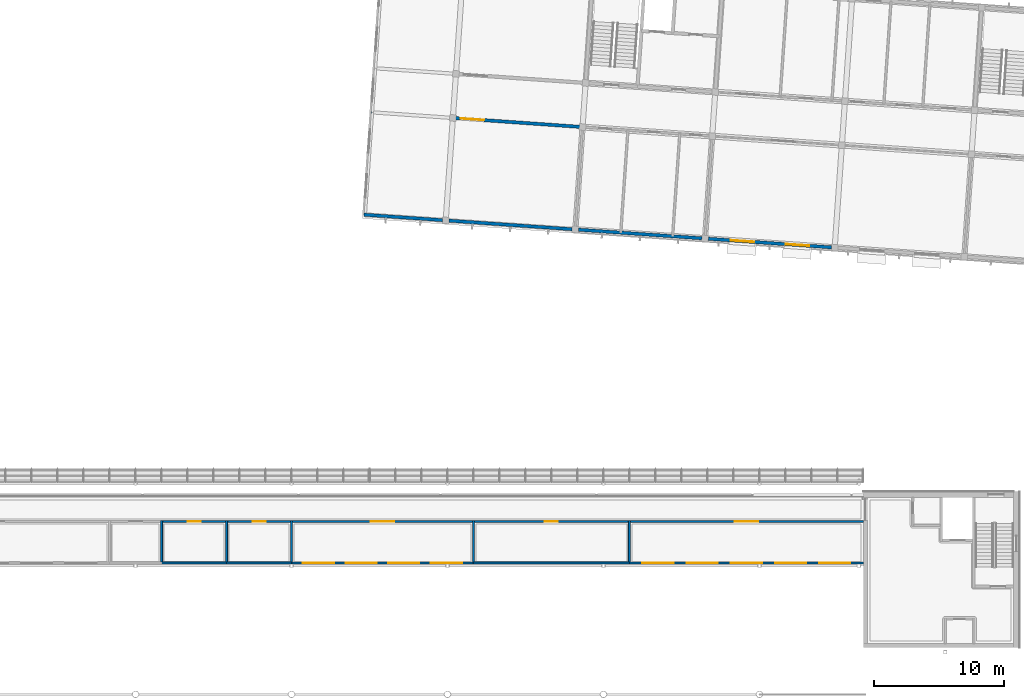
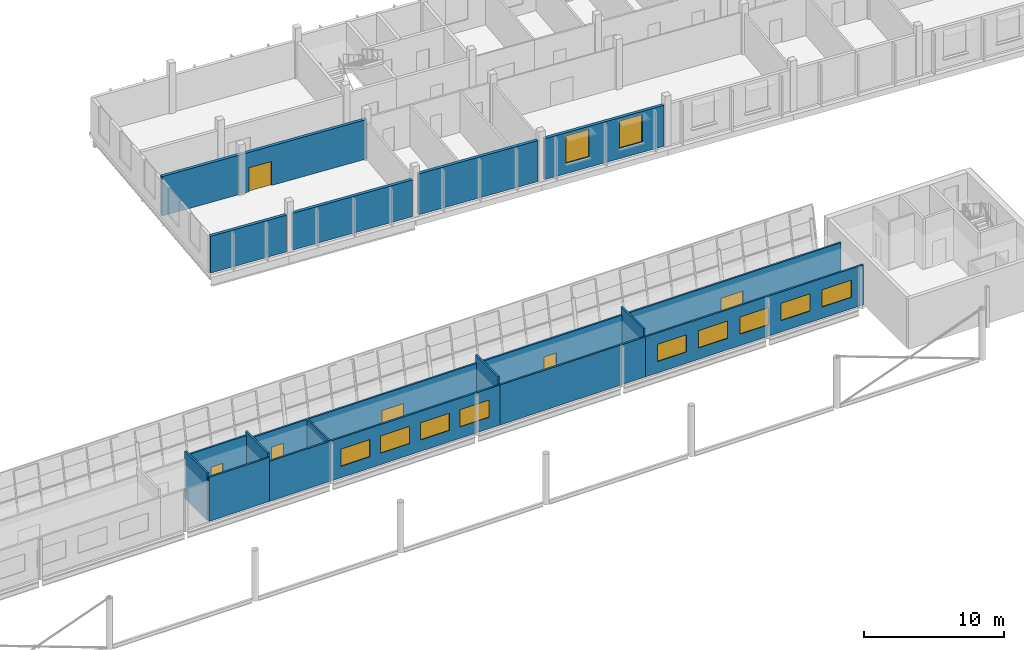
# One storey, part 53 of 95: 20 walls, 11 windows, 6 doors, 17 openings.
"""IFC4 building model written with IfcOpenShell, lengths in metres."""

from ifc_helpers import new_model, si_unit, direction, frame, frame_2d, origin, place, context, subcontext, project, spatial, rectangle, extrude, material, layer, layer_set, type_object, element, fill, save


model = new_model("IFC4")

# Units and contexts
model_context = context("Model", 3, precision=1e-05, world=origin(), true_north=direction((0.0, 1.0)))
body_context = subcontext(model_context, "Body", "Model", "MODEL_VIEW")
ifc_project = project(units=[si_unit("LENGTHUNIT", "METRE"), si_unit("AREAUNIT", "SQUARE_METRE"), si_unit("VOLUMEUNIT", "CUBIC_METRE"), si_unit("PLANEANGLEUNIT", "RADIAN"), si_unit("MASSUNIT", "GRAM", prefix="KILO")], contexts=[model_context])

# Site, building, storey
site_placement = place(None, origin())
site = spatial("IfcSite", under=ifc_project, at=site_placement, CompositionType="ELEMENT")
building_placement = place(site_placement, origin())
building = spatial("IfcBuilding", under=site, at=building_placement, Name="Windward Yard Aquatics Centre", CompositionType="ELEMENT")
storey_placement = place(building_placement, frame((0.0, 0.0, 9.39990234375)))
storey = spatial("IfcBuildingStorey", under=building, at=storey_placement, Name="L02", CompositionType="ELEMENT", Elevation=9.39990234375)

# Wall
ifc_material_1 = material(Name="Blockwork 150 mm", Category="masonry")
ifc_layer_1 = layer(ifc_material_1, 0.14990234375)
ifc_layer_set_1 = layer_set([ifc_layer_1], Name="H Partition Blockwork 150")
wall_type_1 = type_object("IfcWallType", Name="H Partition Blockwork 150", PredefinedType="PARTITIONING", material=ifc_layer_set_1)
wall_1_placement = place(storey_placement, frame((86.0, 90.59033203125, 0.0), z_axis=(0.0, 0.0, 1.0), x_axis=(0.0, 1.0, 0.0)))
element("IfcWall", 1, at=wall_1_placement, inside=storey, type_object=wall_type_1, Name="L02 partition Accessible WC", PredefinedType="PARTITIONING", context=body_context, shape_type="SweptSolid", body=[
    extrude(rectangle(XDim=3.1845703125, YDim=0.14990234375, at=frame_2d((1.59228515625, 0.0))), origin(), (0.0, 0.0, 1.0), 4.150146484375),
])

# Wall, opening, door
wall_2_placement = place(storey_placement, frame((86.074951171875, 93.699951171875, 0.0), z_axis=(0.0, 0.0, 1.0), x_axis=(1.0, 0.0, 0.0)))
wall_2 = element("IfcWall", 2, at=wall_2_placement, inside=storey, type_object=wall_type_1, Name="L02 partition Upper WC Women", PredefinedType="PARTITIONING", context=body_context, shape_type="SweptSolid", body=[
    extrude(rectangle(XDim=4.85009765625, YDim=0.14990234375, at=frame_2d((2.425048828125, 0.0))), origin(), (0.0, 0.0, 1.0), 3.843994140625),
])
opening_1_placement = place(wall_2_placement, frame((1.925048828125, 0.0, 0.0)))
opening_1 = element("IfcOpeningElement", 3, at=opening_1_placement, cuts=wall_2, Name="Opening H2031", PredefinedType="OPENING", context=body_context, shape_type="SweptSolid", body=[
    extrude(rectangle(XDim=1.0, YDim=2.10009765625, at=frame_2d((0.5, 1.050048828125))), frame((0.0, 0.0849609375, 0.0), z_axis=(0.0, -1.0, 0.0), x_axis=(1.0, 0.0, 0.0)), (0.0, 0.0, 1.0), 0.169921875),
])
ifc_material_2 = material(Name="Steel and timber door leaf", Category="steel")
door_type_1 = type_object("IfcDoorType", Name="H Door Single 1000 x 2100 FD30S", OperationType="NOTDEFINED", PredefinedType="DOOR", material=ifc_material_2)
door_1_placement = place(opening_1_placement, origin())
door_1 = element("IfcDoor", 4, at=door_1_placement, inside=storey, type_object=door_type_1, Name="L02 Upper WC Women door", OperationType="SINGLE_SWING_LEFT", OverallHeight=2.10009765625, OverallWidth=1.0, PredefinedType="DOOR", context=body_context, shape_type="SweptSolid", body=[
    extrude(rectangle(XDim=1.0, YDim=2.10009765625, at=frame_2d((0.5, 1.050048828125))), frame((0.0, 0.02490234375, 0.0), z_axis=(0.0, -1.0, 0.0), x_axis=(1.0, 0.0, 0.0)), (0.0, 0.0, 1.0), 0.050048828125),
])
fill(opening_1, door_1)

# Walls
wall_3_placement = place(storey_placement, frame((91.0, 90.59033203125, 0.0), z_axis=(0.0, 0.0, 1.0), x_axis=(0.0, 1.0, 0.0)))
element("IfcWall", 5, at=wall_3_placement, inside=storey, type_object=wall_type_1, Name="L02 partition Upper WC Women", PredefinedType="PARTITIONING", context=body_context, shape_type="SweptSolid", body=[
    extrude(rectangle(XDim=3.1845703125, YDim=0.14990234375, at=frame_2d((1.59228515625, 0.0))), origin(), (0.0, 0.0, 1.0), 4.150146484375),
])
wall_4_placement = place(storey_placement, frame((86.0, 90.515380859375, 0.0), z_axis=(0.0, 0.0, 1.0), x_axis=(1.0, 0.0, 0.0)))
element("IfcWall", 6, at=wall_4_placement, inside=storey, type_object=wall_type_1, Name="L02 wall Upper WC Women", PredefinedType="PARTITIONING", context=body_context, shape_type="SweptSolid", body=[
    extrude(rectangle(XDim=5.0, YDim=0.14990234375, at=frame_2d((2.5, 0.0))), origin(), (0.0, 0.0, 1.0), 3.843994140625),
])

# Wall, opening, door
wall_5_placement = place(storey_placement, frame((91.074951171875, 93.699951171875, 0.0), z_axis=(0.0, 0.0, 1.0), x_axis=(1.0, 0.0, 0.0)))
wall_5 = element("IfcWall", 7, at=wall_5_placement, inside=storey, type_object=wall_type_1, Name="L02 partition Upper WC Men", PredefinedType="PARTITIONING", context=body_context, shape_type="SweptSolid", body=[
    extrude(rectangle(XDim=4.85009765625, YDim=0.14990234375, at=frame_2d((2.425048828125, 0.0))), origin(), (0.0, 0.0, 1.0), 3.49609375),
])
opening_2_placement = place(wall_5_placement, frame((1.925048828125, 0.0, 0.0)))
opening_2 = element("IfcOpeningElement", 8, at=opening_2_placement, cuts=wall_5, Name="Opening H2032", PredefinedType="OPENING", context=body_context, shape_type="SweptSolid", body=[
    extrude(rectangle(XDim=1.0, YDim=2.10009765625, at=frame_2d((0.5, 1.050048828125))), frame((0.0, 0.0849609375, 0.0), z_axis=(0.0, -1.0, 0.0), x_axis=(1.0, 0.0, 0.0)), (0.0, 0.0, 1.0), 0.169921875),
])
door_2_placement = place(opening_2_placement, origin())
door_2 = element("IfcDoor", 9, at=door_2_placement, inside=storey, type_object=door_type_1, Name="L02 Upper WC Men door", OperationType="SINGLE_SWING_RIGHT", OverallHeight=2.10009765625, OverallWidth=1.0, PredefinedType="DOOR", context=body_context, shape_type="SweptSolid", body=[
    extrude(rectangle(XDim=1.0, YDim=2.10009765625, at=frame_2d((0.5, 1.050048828125))), frame((0.0, 0.02490234375, 0.0), z_axis=(0.0, -1.0, 0.0), x_axis=(1.0, 0.0, 0.0)), (0.0, 0.0, 1.0), 0.050048828125),
])
fill(opening_2, door_2)

# Walls
wall_6_placement = place(storey_placement, frame((96.0, 90.59033203125, 0.0), z_axis=(0.0, 0.0, 1.0), x_axis=(0.0, 1.0, 0.0)))
element("IfcWall", 10, at=wall_6_placement, inside=storey, type_object=wall_type_1, Name="L02 partition Upper WC Men", PredefinedType="PARTITIONING", context=body_context, shape_type="SweptSolid", body=[
    extrude(rectangle(XDim=3.1845703125, YDim=0.14990234375, at=frame_2d((1.59228515625, 0.0))), origin(), (0.0, 0.0, 1.0), 3.49609375),
])
wall_7_placement = place(storey_placement, frame((91.0, 90.515380859375, 0.0), z_axis=(0.0, 0.0, 1.0), x_axis=(1.0, 0.0, 0.0)))
element("IfcWall", 11, at=wall_7_placement, inside=storey, type_object=wall_type_1, Name="L02 wall Upper WC Men", PredefinedType="PARTITIONING", context=body_context, shape_type="SweptSolid", body=[
    extrude(rectangle(XDim=5.0, YDim=0.14990234375, at=frame_2d((2.5, 0.0))), origin(), (0.0, 0.0, 1.0), 3.49609375),
])

# Wall, opening, door
wall_8_placement = place(storey_placement, frame((96.074951171875, 93.699951171875, 0.0), z_axis=(0.0, 0.0, 1.0), x_axis=(1.0, 0.0, 0.0)))
wall_8 = element("IfcWall", 12, at=wall_8_placement, inside=storey, type_object=wall_type_1, Name="L02 partition Commentary Booths", PredefinedType="PARTITIONING", context=body_context, shape_type="SweptSolid", body=[
    extrude(rectangle(XDim=13.85009765625, YDim=0.14990234375, at=frame_2d((6.925048828125, 0.0))), origin(), (0.0, 0.0, 1.0), 3.49609375),
])
opening_3_placement = place(wall_8_placement, frame((6.02490234375, 0.0, 0.0)))
opening_3 = element("IfcOpeningElement", 13, at=opening_3_placement, cuts=wall_8, Name="Opening H2033", PredefinedType="OPENING", context=body_context, shape_type="SweptSolid", body=[
    extrude(rectangle(XDim=1.800048828125, YDim=2.10009765625, at=frame_2d((0.89990234375, 1.050048828125))), frame((0.0, 0.0849609375, 0.0), z_axis=(0.0, -1.0, 0.0), x_axis=(1.0, 0.0, 0.0)), (0.0, 0.0, 1.0), 0.169921875),
])
door_type_2 = type_object("IfcDoorType", Name="H Door Double 1800 x 2100 FD30S", OperationType="DOUBLE_DOOR_SINGLE_SWING", PredefinedType="DOOR", material=ifc_material_2)
door_3_placement = place(opening_3_placement, origin())
door_3 = element("IfcDoor", 14, at=door_3_placement, inside=storey, type_object=door_type_2, Name="L02 Commentary Booths door", OperationType="DOUBLE_DOOR_SINGLE_SWING", OverallHeight=2.10009765625, OverallWidth=1.800048828125, PredefinedType="DOOR", context=body_context, shape_type="SweptSolid", body=[
    extrude(rectangle(XDim=1.800048828125, YDim=2.10009765625, at=frame_2d((0.89990234375, 1.050048828125))), frame((0.0, 0.02490234375, 0.0), z_axis=(0.0, -1.0, 0.0), x_axis=(1.0, 0.0, 0.0)), (0.0, 0.0, 1.0), 0.050048828125),
])
fill(opening_3, door_3)

# Wall
wall_9_placement = place(storey_placement, frame((110.0, 90.59033203125, 0.0), z_axis=(0.0, 0.0, 1.0), x_axis=(0.0, 1.0, 0.0)))
element("IfcWall", 15, at=wall_9_placement, inside=storey, type_object=wall_type_1, Name="L02 partition Commentary Booths", PredefinedType="PARTITIONING", context=body_context, shape_type="SweptSolid", body=[
    extrude(rectangle(XDim=3.1845703125, YDim=0.14990234375, at=frame_2d((1.59228515625, 0.0))), origin(), (0.0, 0.0, 1.0), 4.150146484375),
])

# Wall, openings, windows
wall_10_placement = place(storey_placement, frame((96.0, 90.515380859375, 0.0), z_axis=(0.0, 0.0, 1.0), x_axis=(1.0, 0.0, 0.0)))
wall_10 = element("IfcWall", 16, at=wall_10_placement, inside=storey, type_object=wall_type_1, Name="L02 wall Commentary Booths", PredefinedType="PARTITIONING", context=body_context, shape_type="SweptSolid", body=[
    extrude(rectangle(XDim=14.0, YDim=0.14990234375, at=frame_2d((7.0, 0.0))), origin(), (0.0, 0.0, 1.0), 3.49609375),
])
opening_4_placement = place(wall_10_placement, frame((0.8798828125, 0.0, 1.0)))
opening_4 = element("IfcOpeningElement", 17, at=opening_4_placement, cuts=wall_10, Name="Opening W2072", PredefinedType="OPENING", context=body_context, shape_type="SweptSolid", body=[
    extrude(rectangle(XDim=2.39990234375, YDim=1.5, at=frame_2d((1.199951171875, 0.75))), frame((0.0, 0.0849609375, 0.0), z_axis=(0.0, -1.0, 0.0), x_axis=(1.0, 0.0, 0.0)), (0.0, 0.0, 1.0), 0.169921875),
])
opening_5_placement = place(wall_10_placement, frame((4.159912109375, 0.0, 1.0)))
opening_5 = element("IfcOpeningElement", 18, at=opening_5_placement, cuts=wall_10, Name="Opening W2073", PredefinedType="OPENING", context=body_context, shape_type="SweptSolid", body=[
    extrude(rectangle(XDim=2.39990234375, YDim=1.5, at=frame_2d((1.199951171875, 0.75))), frame((0.0, 0.0849609375, 0.0), z_axis=(0.0, -1.0, 0.0), x_axis=(1.0, 0.0, 0.0)), (0.0, 0.0, 1.0), 0.169921875),
])
opening_6_placement = place(wall_10_placement, frame((7.43994140625, 0.0, 1.0)))
opening_6 = element("IfcOpeningElement", 19, at=opening_6_placement, cuts=wall_10, Name="Opening W2074", PredefinedType="OPENING", context=body_context, shape_type="SweptSolid", body=[
    extrude(rectangle(XDim=2.39990234375, YDim=1.5, at=frame_2d((1.199951171875, 0.75))), frame((0.0, 0.0849609375, 0.0), z_axis=(0.0, -1.0, 0.0), x_axis=(1.0, 0.0, 0.0)), (0.0, 0.0, 1.0), 0.169921875),
])
opening_7_placement = place(wall_10_placement, frame((10.719970703125, 0.0, 1.0)))
opening_7 = element("IfcOpeningElement", 20, at=opening_7_placement, cuts=wall_10, Name="Opening W2075", PredefinedType="OPENING", context=body_context, shape_type="SweptSolid", body=[
    extrude(rectangle(XDim=2.39990234375, YDim=1.5, at=frame_2d((1.199951171875, 0.75))), frame((0.0, 0.0849609375, 0.0), z_axis=(0.0, -1.0, 0.0), x_axis=(1.0, 0.0, 0.0)), (0.0, 0.0, 1.0), 0.169921875),
])
ifc_material_3 = material(Name="Laminated glass in aluminium frame", Category="aluminium")
window_type_1 = type_object("IfcWindowType", Name="H Gallery Window 2400 x 1500", PartitioningType="SINGLE_PANEL", PredefinedType="WINDOW", material=ifc_material_3)
window_1_placement = place(opening_4_placement, origin())
window_1 = element("IfcWindow", 21, at=window_1_placement, inside=storey, type_object=window_type_1, Name="L02 Commentary Booths viewing window", OverallHeight=1.5, OverallWidth=2.39990234375, PartitioningType="SINGLE_PANEL", PredefinedType="WINDOW", context=body_context, shape_type="SweptSolid", body=[
    extrude(rectangle(XDim=2.39990234375, YDim=1.5, at=frame_2d((1.199951171875, 0.75))), frame((0.0, 0.030029296875, 0.0), z_axis=(0.0, -1.0, 0.0), x_axis=(1.0, 0.0, 0.0)), (0.0, 0.0, 1.0), 0.06005859375),
])
fill(opening_4, window_1)
window_2_placement = place(opening_5_placement, origin())
window_2 = element("IfcWindow", 22, at=window_2_placement, inside=storey, type_object=window_type_1, Name="L02 Commentary Booths viewing window", OverallHeight=1.5, OverallWidth=2.39990234375, PartitioningType="SINGLE_PANEL", PredefinedType="WINDOW", context=body_context, shape_type="SweptSolid", body=[
    extrude(rectangle(XDim=2.39990234375, YDim=1.5, at=frame_2d((1.199951171875, 0.75))), frame((0.0, 0.030029296875, 0.0), z_axis=(0.0, -1.0, 0.0), x_axis=(1.0, 0.0, 0.0)), (0.0, 0.0, 1.0), 0.06005859375),
])
fill(opening_5, window_2)
window_3_placement = place(opening_6_placement, origin())
window_3 = element("IfcWindow", 23, at=window_3_placement, inside=storey, type_object=window_type_1, Name="L02 Commentary Booths viewing window", OverallHeight=1.5, OverallWidth=2.39990234375, PartitioningType="SINGLE_PANEL", PredefinedType="WINDOW", context=body_context, shape_type="SweptSolid", body=[
    extrude(rectangle(XDim=2.39990234375, YDim=1.5, at=frame_2d((1.199951171875, 0.75))), frame((0.0, 0.030029296875, 0.0), z_axis=(0.0, -1.0, 0.0), x_axis=(1.0, 0.0, 0.0)), (0.0, 0.0, 1.0), 0.06005859375),
])
fill(opening_6, window_3)
window_4_placement = place(opening_7_placement, origin())
window_4 = element("IfcWindow", 24, at=window_4_placement, inside=storey, type_object=window_type_1, Name="L02 Commentary Booths viewing window", OverallHeight=1.5, OverallWidth=2.39990234375, PartitioningType="SINGLE_PANEL", PredefinedType="WINDOW", context=body_context, shape_type="SweptSolid", body=[
    extrude(rectangle(XDim=2.39990234375, YDim=1.5, at=frame_2d((1.199951171875, 0.75))), frame((0.0, 0.030029296875, 0.0), z_axis=(0.0, -1.0, 0.0), x_axis=(1.0, 0.0, 0.0)), (0.0, 0.0, 1.0), 0.06005859375),
])
fill(opening_7, window_4)

# Wall, opening, door
wall_11_placement = place(storey_placement, frame((110.074951171875, 93.699951171875, 0.0), z_axis=(0.0, 0.0, 1.0), x_axis=(1.0, 0.0, 0.0)))
wall_11 = element("IfcWall", 25, at=wall_11_placement, inside=storey, type_object=wall_type_1, Name="L02 partition Media Workroom", PredefinedType="PARTITIONING", context=body_context, shape_type="SweptSolid", body=[
    extrude(rectangle(XDim=11.85009765625, YDim=0.14990234375, at=frame_2d((5.925048828125, 0.0))), origin(), (0.0, 0.0, 1.0), 3.49609375),
])
opening_8_placement = place(wall_11_placement, frame((5.425048828125, 0.0, 0.0)))
opening_8 = element("IfcOpeningElement", 26, at=opening_8_placement, cuts=wall_11, Name="Opening H2034", PredefinedType="OPENING", context=body_context, shape_type="SweptSolid", body=[
    extrude(rectangle(XDim=1.0, YDim=2.10009765625, at=frame_2d((0.5, 1.050048828125))), frame((0.0, 0.0849609375, 0.0), z_axis=(0.0, -1.0, 0.0), x_axis=(1.0, 0.0, 0.0)), (0.0, 0.0, 1.0), 0.169921875),
])
door_4_placement = place(opening_8_placement, origin())
door_4 = element("IfcDoor", 27, at=door_4_placement, inside=storey, type_object=door_type_1, Name="L02 Media Workroom door", OperationType="SINGLE_SWING_LEFT", OverallHeight=2.10009765625, OverallWidth=1.0, PredefinedType="DOOR", context=body_context, shape_type="SweptSolid", body=[
    extrude(rectangle(XDim=1.0, YDim=2.10009765625, at=frame_2d((0.5, 1.050048828125))), frame((0.0, 0.02490234375, 0.0), z_axis=(0.0, -1.0, 0.0), x_axis=(1.0, 0.0, 0.0)), (0.0, 0.0, 1.0), 0.050048828125),
])
fill(opening_8, door_4)

# Walls
wall_12_placement = place(storey_placement, frame((122.0, 90.59033203125, 0.0), z_axis=(0.0, 0.0, 1.0), x_axis=(0.0, 1.0, 0.0)))
element("IfcWall", 28, at=wall_12_placement, inside=storey, type_object=wall_type_1, Name="L02 partition Media Workroom", PredefinedType="PARTITIONING", context=body_context, shape_type="SweptSolid", body=[
    extrude(rectangle(XDim=3.1845703125, YDim=0.14990234375, at=frame_2d((1.59228515625, 0.0))), origin(), (0.0, 0.0, 1.0), 4.150146484375),
])
wall_13_placement = place(storey_placement, frame((110.0, 90.515380859375, 0.0), z_axis=(0.0, 0.0, 1.0), x_axis=(1.0, 0.0, 0.0)))
element("IfcWall", 29, at=wall_13_placement, inside=storey, type_object=wall_type_1, Name="L02 wall Media Workroom", PredefinedType="PARTITIONING", context=body_context, shape_type="SweptSolid", body=[
    extrude(rectangle(XDim=12.0, YDim=0.14990234375, at=frame_2d((6.0, 0.0))), origin(), (0.0, 0.0, 1.0), 3.49609375),
])

# Wall, opening, door
wall_14_placement = place(storey_placement, frame((122.074951171875, 93.699951171875, 0.0), z_axis=(0.0, 0.0, 1.0), x_axis=(1.0, 0.0, 0.0)))
wall_14 = element("IfcWall", 30, at=wall_14_placement, inside=storey, type_object=wall_type_1, Name="L02 partition VIP Suite", PredefinedType="PARTITIONING", context=body_context, shape_type="SweptSolid", body=[
    extrude(rectangle(XDim=17.925048828125, YDim=0.14990234375, at=frame_2d((8.96240234375, 0.0))), origin(), (0.0, 0.0, 1.0), 3.49609375),
])
opening_9_placement = place(wall_14_placement, frame((8.02490234375, 0.0, 0.0)))
opening_9 = element("IfcOpeningElement", 31, at=opening_9_placement, cuts=wall_14, Name="Opening H2035", PredefinedType="OPENING", context=body_context, shape_type="SweptSolid", body=[
    extrude(rectangle(XDim=1.800048828125, YDim=2.10009765625, at=frame_2d((0.89990234375, 1.050048828125))), frame((0.0, 0.0849609375, 0.0), z_axis=(0.0, -1.0, 0.0), x_axis=(1.0, 0.0, 0.0)), (0.0, 0.0, 1.0), 0.169921875),
])
door_5_placement = place(opening_9_placement, origin())
door_5 = element("IfcDoor", 32, at=door_5_placement, inside=storey, type_object=door_type_2, Name="L02 VIP Suite door", OperationType="DOUBLE_DOOR_SINGLE_SWING", OverallHeight=2.10009765625, OverallWidth=1.800048828125, PredefinedType="DOOR", context=body_context, shape_type="SweptSolid", body=[
    extrude(rectangle(XDim=1.800048828125, YDim=2.10009765625, at=frame_2d((0.89990234375, 1.050048828125))), frame((0.0, 0.02490234375, 0.0), z_axis=(0.0, -1.0, 0.0), x_axis=(1.0, 0.0, 0.0)), (0.0, 0.0, 1.0), 0.050048828125),
])
fill(opening_9, door_5)

# Wall, openings, windows
wall_15_placement = place(storey_placement, frame((122.0, 90.515380859375, 0.0), z_axis=(0.0, 0.0, 1.0), x_axis=(1.0, 0.0, 0.0)))
wall_15 = element("IfcWall", 33, at=wall_15_placement, inside=storey, type_object=wall_type_1, Name="L02 wall VIP Suite", PredefinedType="PARTITIONING", context=body_context, shape_type="SweptSolid", body=[
    extrude(rectangle(XDim=18.0, YDim=0.14990234375, at=frame_2d((9.0, 0.0))), origin(), (0.0, 0.0, 1.0), 3.49609375),
])
opening_10_placement = place(wall_15_placement, frame((1.0, 0.0, 1.0)))
opening_10 = element("IfcOpeningElement", 34, at=opening_10_placement, cuts=wall_15, Name="Opening W2076", PredefinedType="OPENING", context=body_context, shape_type="SweptSolid", body=[
    extrude(rectangle(XDim=2.39990234375, YDim=1.5, at=frame_2d((1.199951171875, 0.75))), frame((0.0, 0.0849609375, 0.0), z_axis=(0.0, -1.0, 0.0), x_axis=(1.0, 0.0, 0.0)), (0.0, 0.0, 1.0), 0.169921875),
])
opening_11_placement = place(wall_15_placement, frame((4.39990234375, 0.0, 1.0)))
opening_11 = element("IfcOpeningElement", 35, at=opening_11_placement, cuts=wall_15, Name="Opening W2077", PredefinedType="OPENING", context=body_context, shape_type="SweptSolid", body=[
    extrude(rectangle(XDim=2.39990234375, YDim=1.5, at=frame_2d((1.199951171875, 0.75))), frame((0.0, 0.0849609375, 0.0), z_axis=(0.0, -1.0, 0.0), x_axis=(1.0, 0.0, 0.0)), (0.0, 0.0, 1.0), 0.169921875),
])
opening_12_placement = place(wall_15_placement, frame((7.800048828125, 0.0, 1.0)))
opening_12 = element("IfcOpeningElement", 36, at=opening_12_placement, cuts=wall_15, Name="Opening W2078", PredefinedType="OPENING", context=body_context, shape_type="SweptSolid", body=[
    extrude(rectangle(XDim=2.39990234375, YDim=1.5, at=frame_2d((1.199951171875, 0.75))), frame((0.0, 0.0849609375, 0.0), z_axis=(0.0, -1.0, 0.0), x_axis=(1.0, 0.0, 0.0)), (0.0, 0.0, 1.0), 0.169921875),
])
opening_13_placement = place(wall_15_placement, frame((11.199951171875, 0.0, 1.0)))
opening_13 = element("IfcOpeningElement", 37, at=opening_13_placement, cuts=wall_15, Name="Opening W2079", PredefinedType="OPENING", context=body_context, shape_type="SweptSolid", body=[
    extrude(rectangle(XDim=2.39990234375, YDim=1.5, at=frame_2d((1.199951171875, 0.75))), frame((0.0, 0.0849609375, 0.0), z_axis=(0.0, -1.0, 0.0), x_axis=(1.0, 0.0, 0.0)), (0.0, 0.0, 1.0), 0.169921875),
])
opening_14_placement = place(wall_15_placement, frame((14.60009765625, 0.0, 1.0)))
opening_14 = element("IfcOpeningElement", 38, at=opening_14_placement, cuts=wall_15, Name="Opening W2080", PredefinedType="OPENING", context=body_context, shape_type="SweptSolid", body=[
    extrude(rectangle(XDim=2.39990234375, YDim=1.5, at=frame_2d((1.199951171875, 0.75))), frame((0.0, 0.0849609375, 0.0), z_axis=(0.0, -1.0, 0.0), x_axis=(1.0, 0.0, 0.0)), (0.0, 0.0, 1.0), 0.169921875),
])
window_5_placement = place(opening_10_placement, origin())
window_5 = element("IfcWindow", 39, at=window_5_placement, inside=storey, type_object=window_type_1, Name="L02 VIP Suite viewing window", OverallHeight=1.5, OverallWidth=2.39990234375, PartitioningType="SINGLE_PANEL", PredefinedType="WINDOW", context=body_context, shape_type="SweptSolid", body=[
    extrude(rectangle(XDim=2.39990234375, YDim=1.5, at=frame_2d((1.199951171875, 0.75))), frame((0.0, 0.030029296875, 0.0), z_axis=(0.0, -1.0, 0.0), x_axis=(1.0, 0.0, 0.0)), (0.0, 0.0, 1.0), 0.06005859375),
])
fill(opening_10, window_5)
window_6_placement = place(opening_11_placement, origin())
window_6 = element("IfcWindow", 40, at=window_6_placement, inside=storey, type_object=window_type_1, Name="L02 VIP Suite viewing window", OverallHeight=1.5, OverallWidth=2.39990234375, PartitioningType="SINGLE_PANEL", PredefinedType="WINDOW", context=body_context, shape_type="SweptSolid", body=[
    extrude(rectangle(XDim=2.39990234375, YDim=1.5, at=frame_2d((1.199951171875, 0.75))), frame((0.0, 0.030029296875, 0.0), z_axis=(0.0, -1.0, 0.0), x_axis=(1.0, 0.0, 0.0)), (0.0, 0.0, 1.0), 0.06005859375),
])
fill(opening_11, window_6)
window_7_placement = place(opening_12_placement, origin())
window_7 = element("IfcWindow", 41, at=window_7_placement, inside=storey, type_object=window_type_1, Name="L02 VIP Suite viewing window", OverallHeight=1.5, OverallWidth=2.39990234375, PartitioningType="SINGLE_PANEL", PredefinedType="WINDOW", context=body_context, shape_type="SweptSolid", body=[
    extrude(rectangle(XDim=2.39990234375, YDim=1.5, at=frame_2d((1.199951171875, 0.75))), frame((0.0, 0.030029296875, 0.0), z_axis=(0.0, -1.0, 0.0), x_axis=(1.0, 0.0, 0.0)), (0.0, 0.0, 1.0), 0.06005859375),
])
fill(opening_12, window_7)
window_8_placement = place(opening_13_placement, origin())
window_8 = element("IfcWindow", 42, at=window_8_placement, inside=storey, type_object=window_type_1, Name="L02 VIP Suite viewing window", OverallHeight=1.5, OverallWidth=2.39990234375, PartitioningType="SINGLE_PANEL", PredefinedType="WINDOW", context=body_context, shape_type="SweptSolid", body=[
    extrude(rectangle(XDim=2.39990234375, YDim=1.5, at=frame_2d((1.199951171875, 0.75))), frame((0.0, 0.030029296875, 0.0), z_axis=(0.0, -1.0, 0.0), x_axis=(1.0, 0.0, 0.0)), (0.0, 0.0, 1.0), 0.06005859375),
])
fill(opening_13, window_8)
window_9_placement = place(opening_14_placement, origin())
window_9 = element("IfcWindow", 43, at=window_9_placement, inside=storey, type_object=window_type_1, Name="L02 VIP Suite viewing window", OverallHeight=1.5, OverallWidth=2.39990234375, PartitioningType="SINGLE_PANEL", PredefinedType="WINDOW", context=body_context, shape_type="SweptSolid", body=[
    extrude(rectangle(XDim=2.39990234375, YDim=1.5, at=frame_2d((1.199951171875, 0.75))), frame((0.0, 0.030029296875, 0.0), z_axis=(0.0, -1.0, 0.0), x_axis=(1.0, 0.0, 0.0)), (0.0, 0.0, 1.0), 0.06005859375),
])
fill(opening_14, window_9)

# Wall, opening, door
ifc_material_4 = material(Name="Concrete C40/50", Category="concrete")
ifc_layer_2 = layer(ifc_material_4, 0.25)
ifc_layer_set_2 = layer_set([ifc_layer_2], Name="W RC core wall 250 Concrete C40/50")
wall_type_2 = type_object("IfcWallType", Name="W RC core wall 250 Concrete C40/50", PredefinedType="SOLIDWALL", material=ifc_layer_set_2)
wall_16_placement = place(storey_placement, frame((102.129638671875, 125.185302734375, 0.0), z_axis=(0.0, 0.0, 1.0), x_axis=(0.997564327004, -0.069752516003, 0.0)))
wall_16 = element("IfcWall", 44, at=wall_16_placement, inside=storey, type_object=wall_type_2, Name="W.WL.L02.020", PredefinedType="PARTITIONING", context=body_context, shape_type="SweptSolid", body=[
    extrude(rectangle(XDim=16.300048828125, YDim=0.25, at=frame_2d((8.14990234375, 0.0))), origin(), (0.0, 0.0, 1.0), 3.442138671875),
])
opening_15_placement = place(wall_16_placement, frame((6.89990234375, 0.0, 0.0)))
opening_15 = element("IfcOpeningElement", 45, at=opening_15_placement, cuts=wall_16, Name="Opening W2001", PredefinedType="OPENING", context=body_context, shape_type="SweptSolid", body=[
    extrude(rectangle(XDim=1.800048828125, YDim=2.10009765625, at=frame_2d((0.89990234375, 1.050048828125))), frame((0.0, 0.135009765625, 0.0), z_axis=(0.0, -1.0, 0.0), x_axis=(1.0, 0.0, 0.0)), (0.0, 0.0, 1.0), 0.27001953125),
])
ifc_material_5 = material(Name="Timber door leaf", Category="wood")
door_type_3 = type_object("IfcDoorType", Name="W double door 1800x2100", OperationType="DOUBLE_DOOR_SINGLE_SWING", PredefinedType="DOOR", material=ifc_material_5)
door_6_placement = place(opening_15_placement, origin())
door_6 = element("IfcDoor", 46, at=door_6_placement, inside=storey, type_object=door_type_3, Name="W.DRI.L02.001", OperationType="DOUBLE_DOOR_SINGLE_SWING", OverallHeight=2.10009765625, OverallWidth=1.800048828125, PredefinedType="DOOR", context=body_context, shape_type="SweptSolid", body=[
    extrude(rectangle(XDim=1.800048828125, YDim=2.10009765625, at=frame_2d((0.89990234375, 1.050048828125))), frame((0.0, 0.02490234375, 0.0), z_axis=(0.0, -1.0, 0.0), x_axis=(1.0, 0.0, 0.0)), (0.0, 0.0, 1.0), 0.050048828125),
])
fill(opening_15, door_6)

# Walls
ifc_layer_3 = layer(ifc_material_4, 0.25)
ifc_layer_set_3 = layer_set([ifc_layer_3], Name="W facade wall 250 Precast Concrete C40/50")
wall_type_3 = type_object("IfcWallType", Name="W facade wall 250 Precast Concrete C40/50", PredefinedType="SOLIDWALL", material=ifc_layer_set_3)
wall_17_placement = place(storey_placement, frame((101.57861328125, 117.3046875, 0.0), z_axis=(0.0, 0.0, 1.0), x_axis=(0.997562901013, -0.06977290679, 0.0)))
element("IfcWall", 47, at=wall_17_placement, inside=storey, type_object=wall_type_3, Name="W.FW.L02.S.30.2", PredefinedType="SOLIDWALL", context=body_context, shape_type="SweptSolid", body=[
    extrude(rectangle(XDim=6.0498046875, YDim=0.25, at=frame_2d((3.02490234375, 0.0))), origin(), (0.0, 0.0, 1.0), 3.2060546875),
])
wall_18_placement = place(storey_placement, frame((108.112548828125, 116.84765625, 0.0), z_axis=(0.0, 0.0, 1.0), x_axis=(0.997564799463, -0.069745758817, 0.0)))
element("IfcWall", 48, at=wall_18_placement, inside=storey, type_object=wall_type_3, Name="W.FW.L02.S.36.8", PredefinedType="SOLIDWALL", context=body_context, shape_type="SweptSolid", body=[
    extrude(rectangle(XDim=9.500244140625, YDim=0.25, at=frame_2d((4.75, 0.0))), origin(), (0.0, 0.0, 1.0), 3.2060546875),
])
wall_19_placement = place(storey_placement, frame((118.08837890625, 116.150146484375, 0.0), z_axis=(0.0, 0.0, 1.0), x_axis=(0.997562886035, -0.069773120941, 0.0)))
element("IfcWall", 49, at=wall_19_placement, inside=storey, type_object=wall_type_3, Name="W.FW.L02.S.46.8", PredefinedType="SOLIDWALL", context=body_context, shape_type="SweptSolid", body=[
    extrude(rectangle(XDim=9.5, YDim=0.25, at=frame_2d((4.75, 0.0))), origin(), (0.0, 0.0, 1.0), 3.570068359375),
])

# Wall, openings, windows
wall_20_placement = place(storey_placement, frame((128.06396484375, 115.452392578125, 0.0), z_axis=(0.0, 0.0, 1.0), x_axis=(0.997564674448, -0.06974754686, 0.0)))
wall_20 = element("IfcWall", 50, at=wall_20_placement, inside=storey, type_object=wall_type_3, Name="W.FW.L02.S.56.8", PredefinedType="SOLIDWALL", context=body_context, shape_type="SweptSolid", body=[
    extrude(rectangle(XDim=9.5, YDim=0.25, at=frame_2d((4.75, 0.0))), origin(), (0.0, 0.0, 1.0), 3.570068359375),
])
opening_16_placement = place(wall_20_placement, frame((1.72509765625, 0.0, 0.89990234375)))
opening_16 = element("IfcOpeningElement", 51, at=opening_16_placement, cuts=wall_20, Name="Opening W2501", PredefinedType="OPENING", context=body_context, shape_type="SweptSolid", body=[
    extrude(rectangle(XDim=1.800048828125, YDim=2.39990234375, at=frame_2d((0.89990234375, 1.199951171875))), frame((0.0, 0.135009765625, 0.0), z_axis=(0.0, -1.0, 0.0), x_axis=(1.0, 0.0, 0.0)), (0.0, 0.0, 1.0), 0.27001953125),
])
opening_17_placement = place(wall_20_placement, frame((5.97509765625, 0.0, 0.89990234375)))
opening_17 = element("IfcOpeningElement", 52, at=opening_17_placement, cuts=wall_20, Name="Opening W2502", PredefinedType="OPENING", context=body_context, shape_type="SweptSolid", body=[
    extrude(rectangle(XDim=1.800048828125, YDim=2.39990234375, at=frame_2d((0.89990234375, 1.199951171875))), frame((0.0, 0.135009765625, 0.0), z_axis=(0.0, -1.0, 0.0), x_axis=(1.0, 0.0, 0.0)), (0.0, 0.0, 1.0), 0.27001953125),
])
ifc_material_6 = material(Name="Aluminium framed glazing", Category="aluminium")
window_type_2 = type_object("IfcWindowType", Name="W window 1800x2400", PartitioningType="SINGLE_PANEL", PredefinedType="WINDOW", material=ifc_material_6)
window_10_placement = place(opening_16_placement, origin())
window_10 = element("IfcWindow", 53, at=window_10_placement, inside=storey, type_object=window_type_2, Name="W.WN.L02.W2501", OverallHeight=2.39990234375, OverallWidth=1.800048828125, PartitioningType="SINGLE_PANEL", PredefinedType="WINDOW", context=body_context, shape_type="SweptSolid", body=[
    extrude(rectangle(XDim=1.800048828125, YDim=2.39990234375, at=frame_2d((0.89990234375, 1.199951171875))), frame((0.0, 0.030029296875, 0.0), z_axis=(0.0, -1.0, 0.0), x_axis=(1.0, 0.0, 0.0)), (0.0, 0.0, 1.0), 0.06005859375),
])
fill(opening_16, window_10)
window_11_placement = place(opening_17_placement, origin())
window_11 = element("IfcWindow", 54, at=window_11_placement, inside=storey, type_object=window_type_2, Name="W.WN.L02.W2502", OverallHeight=2.39990234375, OverallWidth=1.800048828125, PartitioningType="SINGLE_PANEL", PredefinedType="WINDOW", context=body_context, shape_type="SweptSolid", body=[
    extrude(rectangle(XDim=1.800048828125, YDim=2.39990234375, at=frame_2d((0.89990234375, 1.199951171875))), frame((0.0, 0.030029296875, 0.0), z_axis=(0.0, -1.0, 0.0), x_axis=(1.0, 0.0, 0.0)), (0.0, 0.0, 1.0), 0.06005859375),
])
fill(opening_17, window_11)

save(model, "model.ifc")
